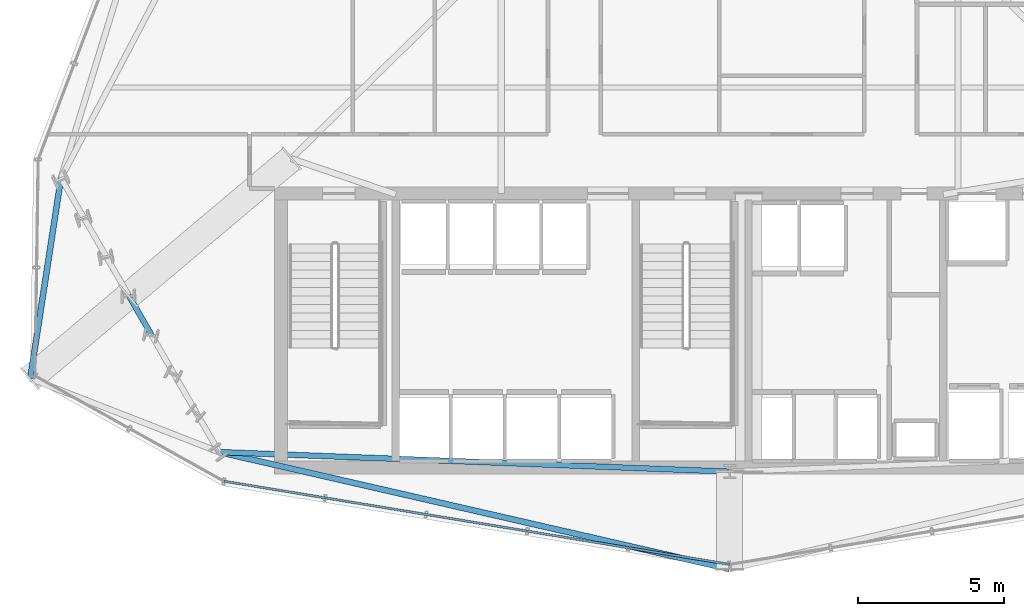
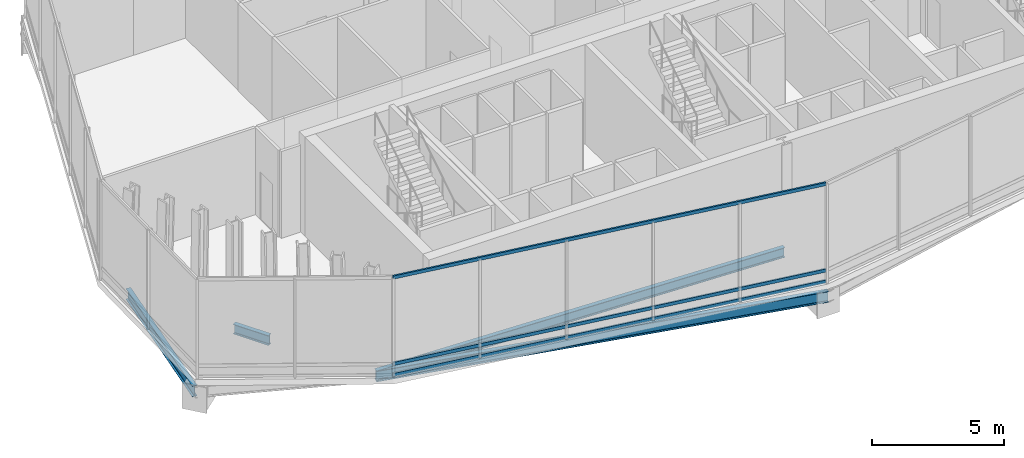
# One storey, part 3 of 26: 4 beams, 3 members, 1 element without a shape of its own.
"""IFC4 building model written with IfcOpenShell, lengths in metres."""

from ifc_helpers import new_model, si_unit, direction, frame, origin, origin_2d, place, context, subcontext, project, spatial, hollow_rectangle, i_section, extrude, material, layer, layer_set, material_profile, profile_set, type_object, element, aggregate, save


model = new_model("IFC4")

# Units and contexts
model_context = context("Model", 3, precision=1e-05, world=origin(), true_north=direction((0.0, 1.0)))
body_context = subcontext(model_context, "Body", "Model", "MODEL_VIEW")
ifc_project = project(units=[si_unit("LENGTHUNIT", "METRE"), si_unit("AREAUNIT", "SQUARE_METRE"), si_unit("VOLUMEUNIT", "CUBIC_METRE"), si_unit("PLANEANGLEUNIT", "RADIAN"), si_unit("MASSUNIT", "GRAM", prefix="KILO")], contexts=[model_context])

# Site, building, storey
site_placement = place(None, origin())
site = spatial("IfcSite", under=ifc_project, at=site_placement, CompositionType="ELEMENT")
building_placement = place(site_placement, origin())
building = spatial("IfcBuilding", under=site, at=building_placement, Name="Ndaravel Arena Tower", CompositionType="ELEMENT")
storey_placement = place(building_placement, frame((0.0, 0.0, 122.199951171875)))
storey = spatial("IfcBuildingStorey", under=building, at=storey_placement, Name="L28", CompositionType="ELEMENT", Elevation=122.199951171875)

# Beams
ifc_material_1 = material(Name="Steel S355", Category="steel")
ifc_material_profile_1 = material_profile(ifc_material_1, i_section(OverallWidth=0.18994140625, OverallDepth=0.449951171875, WebThickness=0.009521484375, FlangeThickness=0.0146484375, FilletRadius=0.02099609375, at=origin_2d()), Name="IPE 450")
ifc_profile_set_1 = profile_set([ifc_material_profile_1], Name="Steel S355")
beam_type_1 = type_object("IfcBeamType", Name="BM-SPAN-IPE450", PredefinedType="SPANDREL", material=ifc_profile_set_1)
beam_1_placement = place(storey_placement, frame((21.4775390625, 11.49462890625, -0.5048828125), z_axis=(0.5000008632, -0.866024905415, 0.0), x_axis=(0.866024905415, 0.5000008632, 0.0)))
element("IfcBeam", 1, at=beam_1_placement, inside=storey, type_object=beam_type_1, Name="L28 Perimeter Spandrel Beam SP-23", PredefinedType="SPANDREL", context=body_context, shape_type="SweptSolid", body=[
    extrude(i_section(OverallWidth=0.18994140625, OverallDepth=0.449951171875, WebThickness=0.009521484375, FlangeThickness=0.0146484375, FilletRadius=0.02099609375, at=origin_2d()), origin(), (0.0, 0.0, 1.0), 1.54345703125),
])
beam_2_placement = place(storey_placement, frame((24.564208984375, 6.148193359375, -0.5048828125), z_axis=(0.999266435486, -0.038296095242, 0.0), x_axis=(0.038296095242, 0.999266435486, 0.0)))
element("IfcBeam", 2, at=beam_2_placement, inside=storey, type_object=beam_type_1, Name="L28 Perimeter Spandrel Beam SP-27", PredefinedType="SPANDREL", context=body_context, shape_type="SweptSolid", body=[
    extrude(i_section(OverallWidth=0.18994140625, OverallDepth=0.449951171875, WebThickness=0.009521484375, FlangeThickness=0.0146484375, FilletRadius=0.02099609375, at=origin_2d()), origin(), (0.0, 0.0, 1.0), 17.448486328125),
])
ifc_material_2 = material(Name="Steel S355", Category="steel")
ifc_material_profile_2 = material_profile(ifc_material_2, i_section(OverallWidth=0.199951171875, OverallDepth=0.5, WebThickness=0.01025390625, FlangeThickness=0.01611328125, FilletRadius=0.02099609375, at=origin_2d()), Name="IPE 500")
ifc_profile_set_2 = profile_set([ifc_material_profile_2], Name="Steel S355")
beam_type_2 = type_object("IfcBeamType", Name="BM-SPAN-IPE500", PredefinedType="SPANDREL", material=ifc_profile_set_2)
beam_3_placement = place(storey_placement, frame((19.16259765625, 15.50439453125, -0.530029296875), z_axis=(-0.151535113883, -0.988451875035, 0.0), x_axis=(0.988451875035, -0.151535113883, 0.0)))
element("IfcBeam", 3, at=beam_3_placement, inside=storey, type_object=beam_type_2, Name="L28 Star Facet Edge Beam SEA-1", PredefinedType="SPANDREL", context=body_context, shape_type="SweptSolid", body=[
    extrude(i_section(OverallWidth=0.199951171875, OverallDepth=0.5, WebThickness=0.01025390625, FlangeThickness=0.01611328125, FilletRadius=0.02099609375, at=origin_2d()), origin(), (0.0, 0.0, 1.0), 6.9228515625),
])
beam_4_placement = place(storey_placement, frame((24.564208984375, 6.148193359375, -0.530029296875), z_axis=(0.974700797375, -0.223513658633, 0.0), x_axis=(0.223513658633, 0.974700797375, 0.0)))
element("IfcBeam", 4, at=beam_4_placement, inside=storey, type_object=beam_type_2, Name="L28 Star Facet Edge Beam SEA-2", PredefinedType="SPANDREL", context=body_context, shape_type="SweptSolid", body=[
    extrude(i_section(OverallWidth=0.199951171875, OverallDepth=0.5, WebThickness=0.01025390625, FlangeThickness=0.01611328125, FilletRadius=0.02099609375, at=origin_2d()), origin(), (0.0, 0.0, 1.0), 17.888427734375),
])

# Curtain wall, members
ifc_material_3 = material(Name="Aluminium", Category="aluminium")
ifc_layer = layer(ifc_material_3, 0.179931640625)
ifc_layer_set = layer_set([ifc_layer], Name="Aluminium")
curtain_wall_type = type_object("IfcCurtainWallType", Name="CW-SYS-04", PredefinedType="NOTDEFINED", material=ifc_layer_set)
curtain_wall_placement = place(storey_placement, origin())
curtain_wall = element("IfcCurtainWall", 5, at=curtain_wall_placement, inside=storey, type_object=curtain_wall_type, Name="L28 Faceted Crystal Curtain Wall CW-L28-E02", PredefinedType="NOTDEFINED")
ifc_material_4 = material(Name="Aluminium", Category="aluminium")
ifc_material_profile_3 = material_profile(ifc_material_4, hollow_rectangle(XDim=0.074951171875, YDim=0.14990234375, WallThickness=0.00390625, at=origin_2d()), Name="CW TRANSOM 75x150x4")
ifc_profile_set_3 = profile_set([ifc_material_profile_3], Name="Aluminium")
member_type = type_object("IfcMemberType", Name="MEM-CW-TRN150", PredefinedType="USERDEFINED", material=ifc_profile_set_3)
member_1_placement = place(storey_placement, frame((24.7265625, 5.1533203125, 0.0400390625), z_axis=(0.986739994862, -0.162308910846, 0.0), x_axis=(0.162308910846, 0.986739994862, 0.0)))
member_1 = element("IfcMember", 6, at=member_1_placement, type_object=member_type, Name="CW-L28-E02 Transom 01", ObjectType="TRANSOM", PredefinedType="USERDEFINED", context=body_context, shape_type="SweptSolid", body=[
    extrude(hollow_rectangle(XDim=0.074951171875, YDim=0.14990234375, WallThickness=0.00390625, at=origin_2d()), origin(), (0.0, 0.0, 1.0), 17.505615234375),
])
member_2_placement = place(storey_placement, frame((24.7265625, 5.1533203125, 0.550048828125), z_axis=(0.986739994862, -0.162308910846, 0.0), x_axis=(0.162308910846, 0.986739994862, 0.0)))
member_2 = element("IfcMember", 7, at=member_2_placement, type_object=member_type, Name="CW-L28-E02 Transom 02", ObjectType="TRANSOM", PredefinedType="USERDEFINED", context=body_context, shape_type="SweptSolid", body=[
    extrude(hollow_rectangle(XDim=0.074951171875, YDim=0.14990234375, WallThickness=0.00390625, at=origin_2d()), origin(), (0.0, 0.0, 1.0), 17.505615234375),
])
member_3_placement = place(storey_placement, frame((24.7265625, 5.1533203125, 4.5400390625), z_axis=(0.986739994862, -0.162308910846, 0.0), x_axis=(0.162308910846, 0.986739994862, 0.0)))
member_3 = element("IfcMember", 8, at=member_3_placement, type_object=member_type, Name="CW-L28-E02 Transom 03", ObjectType="TRANSOM", PredefinedType="USERDEFINED", context=body_context, shape_type="SweptSolid", body=[
    extrude(hollow_rectangle(XDim=0.074951171875, YDim=0.14990234375, WallThickness=0.00390625, at=origin_2d()), origin(), (0.0, 0.0, 1.0), 17.505615234375),
])
aggregate(curtain_wall, [member_1, member_2, member_3])

save(model, "model.ifc")
